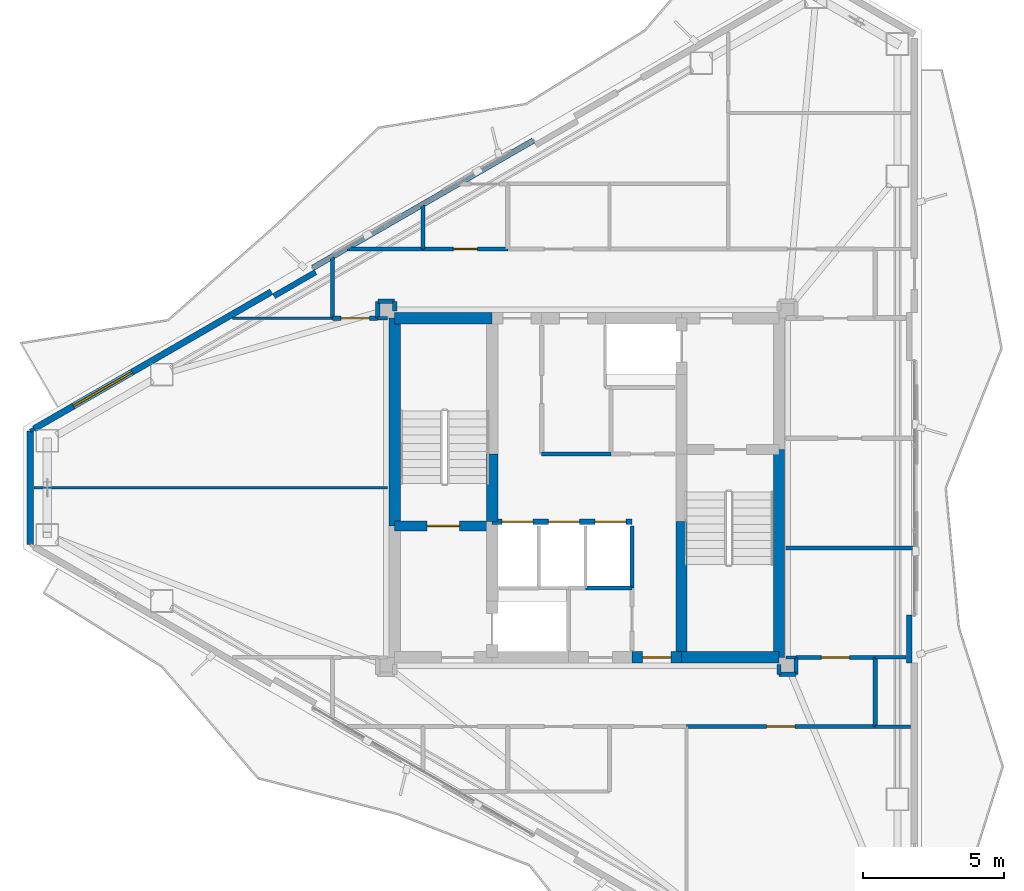
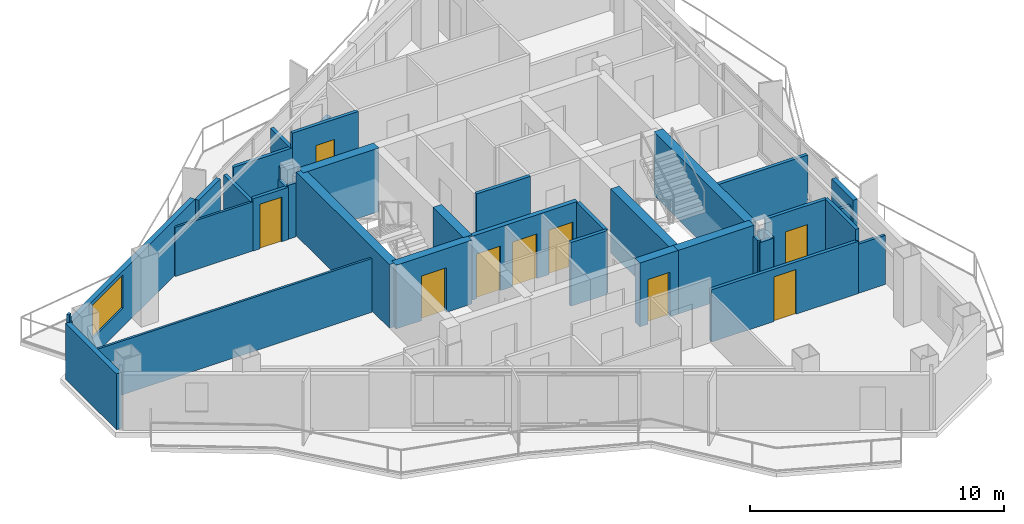
# One storey, part 17 of 21: 39 walls, 9 doors, 1 window, 10 openings.
"""IFC4 building model written with IfcOpenShell, lengths in metres."""

from ifc_helpers import new_model, si_unit, direction, frame, frame_2d, origin, place, context, subcontext, project, spatial, rectangle, extrude, material, layer, layer_set, type_object, element, fill, save


model = new_model("IFC4")

# Units and contexts
model_context = context("Model", 3, precision=1e-05, world=origin(), true_north=direction((0.0, 1.0)))
body_context = subcontext(model_context, "Body", "Model", "MODEL_VIEW")
ifc_project = project(units=[si_unit("LENGTHUNIT", "METRE"), si_unit("AREAUNIT", "SQUARE_METRE"), si_unit("VOLUMEUNIT", "CUBIC_METRE"), si_unit("PLANEANGLEUNIT", "RADIAN"), si_unit("MASSUNIT", "GRAM", prefix="KILO")], contexts=[model_context])

# Site, building, storey
site_placement = place(None, origin())
site = spatial("IfcSite", under=ifc_project, at=site_placement, CompositionType="ELEMENT")
building_placement = place(site_placement, origin())
building = spatial("IfcBuilding", under=site, at=building_placement, Name="Mersakhor Tower and Convention Hall", CompositionType="ELEMENT")
storey_placement = place(building_placement, frame((0.0, 0.0, 211.800048828125)))
storey = spatial("IfcBuildingStorey", under=building, at=storey_placement, Name="L59", CompositionType="ELEMENT", Elevation=211.800048828125)

# Wall
ifc_material_1 = material(Name="Precast concrete C40/50", Category="concrete")
ifc_layer_1 = layer(ifc_material_1, 0.22509765625)
ifc_layer_set_1 = layer_set([ifc_layer_1], Name="Precast concrete C40/50")
wall_type_1 = type_object("IfcWallType", Name="WL-EXT-225", PredefinedType="SOLIDWALL", material=ifc_layer_set_1)
wall_1_placement = place(storey_placement, frame((9.3076171875, 24.73828125, 0.0), z_axis=(0.0, 0.0, 1.0), x_axis=(0.0, 1.0, 0.0)))
element("IfcWall", 1, at=wall_1_placement, inside=storey, type_object=wall_type_1, Name="L59 Chamfer Braced Spandrel Wall C3", PredefinedType="SOLIDWALL", context=body_context, shape_type="SweptSolid", body=[
    extrude(rectangle(XDim=4.0234375, YDim=0.22509765625, at=frame_2d((2.01171875, 0.0))), origin(), (0.0, 0.0, 1.0), 2.68994140625),
])

# Wall, opening, window
wall_2_placement = place(storey_placement, frame((9.4375, 28.836669921875, 0.0), z_axis=(0.0, 0.0, 1.0), x_axis=(0.866027133173, 0.499997004599, 0.0)))
wall_2 = element("IfcWall", 2, at=wall_2_placement, inside=storey, type_object=wall_type_1, Name="L59 Exterior Facade Wall F1-B1", PredefinedType="SOLIDWALL", context=body_context, shape_type="SweptSolid", body=[
    extrude(rectangle(XDim=9.69873046875, YDim=0.22509765625, at=frame_2d((4.849365234375, 0.0))), origin(), (0.0, 0.0, 1.0), 2.68994140625),
])
opening_1_placement = place(wall_2_placement, frame((1.60595703125, 0.0, 0.89990234375)))
opening_1 = element("IfcOpeningElement", 3, at=opening_1_placement, cuts=wall_2, Name="Opening W-05", PredefinedType="OPENING", context=body_context, shape_type="SweptSolid", body=[
    extrude(rectangle(XDim=2.39990234375, YDim=1.60009765625, at=frame_2d((1.199951171875, 0.800048828125))), frame((0.0, 0.12255859375, 0.0), z_axis=(0.0, -1.0, 0.0), x_axis=(1.0, 0.0, 0.0)), (0.0, 0.0, 1.0), 0.2451171875),
])
ifc_material_2 = material(Name="Dark solar low-E glazed aluminium window", Category="aluminium")
window_type = type_object("IfcWindowType", Name="WN-RES-240x160", PartitioningType="SINGLE_PANEL", PredefinedType="WINDOW", material=ifc_material_2)
window_placement = place(opening_1_placement, origin())
window = element("IfcWindow", 4, at=window_placement, inside=storey, type_object=window_type, Name="L59 Facade Punched Window F1-B1", OverallHeight=1.60009765625, OverallWidth=2.39990234375, PartitioningType="SINGLE_PANEL", PredefinedType="WINDOW", context=body_context, shape_type="SweptSolid", body=[
    extrude(rectangle(XDim=2.39990234375, YDim=1.60009765625, at=frame_2d((1.199951171875, 0.800048828125))), frame((0.0, 0.030029296875, 0.0), z_axis=(0.0, -1.0, 0.0), x_axis=(1.0, 0.0, 0.0)), (0.0, 0.0, 1.0), 0.06005859375),
])
fill(opening_1, window)

# Walls
ifc_material_3 = material(Name="Precast concrete C40/50", Category="concrete")
ifc_layer_2 = layer(ifc_material_3, 0.199951171875)
ifc_layer_set_2 = layer_set([ifc_layer_2], Name="Precast concrete C40/50")
wall_type_2 = type_object("IfcWallType", Name="WL-PAR-200", PredefinedType="PARAPET", material=ifc_layer_set_2)
wall_3_placement = place(storey_placement, frame((19.30908203125, 34.5361328125, 0.0), z_axis=(0.0, 0.0, 1.0), x_axis=(0.866020680503, 0.500008180874, 0.0)))
element("IfcWall", 5, at=wall_3_placement, inside=storey, type_object=wall_type_2, Name="L59 Curtain Wall Upstand Sill F1-B2", PredefinedType="PARAPET", context=body_context, shape_type="SweptSolid", body=[
    extrude(rectangle(XDim=8.998779296875, YDim=0.199951171875, at=frame_2d((4.49951171875, 0.0))), origin(), (0.0, 0.0, 1.0), 0.199951171875),
])
for number, where, z_axis, x_axis, name in (
    (6, (17.927001953125, 33.5302734375, 0.0), (0.0, 0.0, 1.0), (0.86605165483, 0.499954529098, 0.0), "L59 Column Pier Cladding Wall F1-C1"),
    (7, (40.408447265625, 22.25048828125, 0.0), (0.0, 0.0, 1.0), (0.0, -1.0, 0.0), "L59 Column Pier Cladding Wall F2-C2"),
):
    element("IfcWall", number, at=place(storey_placement, frame(where, z_axis=z_axis, x_axis=x_axis)), inside=storey, type_object=wall_type_2, Name=name, PredefinedType="PARAPET", context=body_context, shape_type="SweptSolid", body=[
        extrude(rectangle(XDim=1.699951171875, YDim=0.199951171875, at=frame_2d((0.85009765625, 0.0))), origin(), (0.0, 0.0, 1.0), 2.68994140625),
    ])
ifc_material_4 = material(Name="Lightweight gypsum partition", Category="other")
ifc_layer_3 = layer(ifc_material_4, 0.10009765625)
ifc_layer_set_3 = layer_set([ifc_layer_3], Name="Lightweight gypsum partition")
wall_type_3 = type_object("IfcWallType", Name="WL-PRT-100", PredefinedType="PARTITIONING", material=ifc_layer_set_3)
wall_4_placement = place(storey_placement, frame((16.463623046875, 32.75, 0.0), z_axis=(0.0, 0.0, 1.0), x_axis=(1.0, 0.0, 0.0)))
element("IfcWall", 8, at=wall_4_placement, inside=storey, type_object=wall_type_3, Name="L59 Interior Partition Wall P-050", PredefinedType="PARTITIONING", context=body_context, shape_type="SweptSolid", body=[
    extrude(rectangle(XDim=3.536376953125, YDim=0.10009765625, at=frame_2d((1.76806640625, 0.0))), origin(), (0.0, 0.0, 1.0), 2.364990234375),
])
wall_5_placement = place(storey_placement, frame((21.949951171875, 26.75, 0.0), z_axis=(0.0, 0.0, 1.0), x_axis=(-1.0, 0.0, 0.0)))
element("IfcWall", 9, at=wall_5_placement, inside=storey, type_object=wall_type_3, Name="L59 Interior Partition Wall P-052", PredefinedType="PARTITIONING", context=body_context, shape_type="SweptSolid", body=[
    extrude(rectangle(XDim=12.505859375, YDim=0.10009765625, at=frame_2d((6.2529296875, 0.0))), origin(), (0.0, 0.0, 1.0), 2.594970703125),
])
wall_6_placement = place(storey_placement, frame((36.39990234375, 20.75, 0.0), z_axis=(0.0, 0.0, 1.0), x_axis=(-1.0, 0.0, 0.0)))
element("IfcWall", 10, at=wall_6_placement, inside=storey, type_object=wall_type_3, Name="L59 Interior Partition Wall P-058", PredefinedType="PARTITIONING", context=body_context, shape_type="SweptSolid", body=[
    extrude(rectangle(XDim=0.349853515625, YDim=0.10009765625, at=frame_2d((0.1748046875, 0.0))), origin(), (0.0, 0.0, 1.0), 2.594970703125),
])
ifc_material_5 = material(Name="Gypsum board acoustic partition", Category="other")
ifc_layer_4 = layer(ifc_material_5, 0.125)
ifc_layer_set_4 = layer_set([ifc_layer_4], Name="Gypsum board acoustic partition")
wall_type_4 = type_object("IfcWallType", Name="WL-PRT-125", PredefinedType="PARTITIONING", material=ifc_layer_set_4)
wall_7_placement = place(storey_placement, frame((21.60009765625, 32.75, 0.0), z_axis=(0.0, 0.0, 1.0), x_axis=(1.0, 0.0, 0.0)))
element("IfcWall", 11, at=wall_7_placement, inside=storey, type_object=wall_type_4, Name="L59 Interior Partition Wall P-051", PredefinedType="PARTITIONING", context=body_context, shape_type="SweptSolid", body=[
    extrude(rectangle(XDim=0.349853515625, YDim=0.125, at=frame_2d((0.1748046875, 0.0))), origin(), (0.0, 0.0, 1.0), 2.594970703125),
])
wall_8_placement = place(storey_placement, frame((9.306884765625, 28.761962890625, 0.0), z_axis=(0.0, 0.0, 1.0), x_axis=(0.865833797362, 0.500331725305, 0.0)))
element("IfcWall", 12, at=wall_8_placement, inside=storey, type_object=wall_type_4, Name="L59 Interior Partition Wall P-053", PredefinedType="PARTITIONING", context=body_context, shape_type="SweptSolid", body=[
    extrude(rectangle(XDim=0.150390625, YDim=0.125, at=frame_2d((0.0751953125, 0.0))), origin(), (0.0, 0.0, 1.0), 3.070068359375),
])
wall_9_placement = place(storey_placement, frame((40.284423828125, 20.75, 0.0), z_axis=(0.0, 0.0, 1.0), x_axis=(-1.0, 0.0, 0.0)))
element("IfcWall", 13, at=wall_9_placement, inside=storey, type_object=wall_type_4, Name="L59 Interior Partition Wall P-057", PredefinedType="PARTITIONING", context=body_context, shape_type="SweptSolid", body=[
    extrude(rectangle(XDim=1.08447265625, YDim=0.125, at=frame_2d((0.542236328125, 0.0))), origin(), (0.0, 0.0, 1.0), 2.364990234375),
])
wall_10_placement = place(storey_placement, frame((39.199951171875, 18.300048828125, 0.0), z_axis=(0.0, 0.0, 1.0), x_axis=(1.0, 0.0, 0.0)))
element("IfcWall", 14, at=wall_10_placement, inside=storey, type_object=wall_type_4, Name="L59 Interior Partition Wall P-077", PredefinedType="PARTITIONING", context=body_context, shape_type="SweptSolid", body=[
    extrude(rectangle(XDim=1.251953125, YDim=0.125, at=frame_2d((0.6259765625, 0.0))), origin(), (0.0, 0.0, 1.0), 2.364990234375),
])
ifc_material_6 = material(Name="Fire-rated gypsum board stud partition", Category="other")
ifc_layer_5 = layer(ifc_material_6, 0.14990234375)
ifc_layer_set_5 = layer_set([ifc_layer_5], Name="Fire-rated gypsum board stud partition")
wall_type_5 = type_object("IfcWallType", Name="WL-PRT-150", PredefinedType="PARTITIONING", material=ifc_layer_set_5)
wall_11_placement = place(storey_placement, frame((30.60009765625, 25.39990234375, 0.0), z_axis=(0.0, 0.0, 1.0), x_axis=(0.0, -1.0, 0.0)))
element("IfcWall", 15, at=wall_11_placement, inside=storey, type_object=wall_type_5, Name="L59 Interior Partition Wall P-010", PredefinedType="PARTITIONING", context=body_context, shape_type="SweptSolid", body=[
    extrude(rectangle(XDim=2.199951171875, YDim=0.14990234375, at=frame_2d((1.10009765625, 0.0))), origin(), (0.0, 0.0, 1.0), 3.070068359375),
])
wall_12_placement = place(storey_placement, frame((30.60009765625, 23.199951171875, 0.0), z_axis=(0.0, 0.0, 1.0), x_axis=(-1.0, 0.0, 0.0)))
element("IfcWall", 16, at=wall_12_placement, inside=storey, type_object=wall_type_5, Name="L59 Interior Partition Wall P-011", PredefinedType="PARTITIONING", context=body_context, shape_type="SweptSolid", body=[
    extrude(rectangle(XDim=1.650146484375, YDim=0.14990234375, at=frame_2d((0.8251953125, 0.0))), origin(), (0.0, 0.0, 1.0), 3.070068359375),
])
wall_13_placement = place(storey_placement, frame((27.39990234375, 27.949951171875, 0.0), z_axis=(0.0, 0.0, 1.0), x_axis=(1.0, 0.0, 0.0)))
element("IfcWall", 17, at=wall_13_placement, inside=storey, type_object=wall_type_5, Name="L59 Interior Partition Wall P-014", PredefinedType="PARTITIONING", context=body_context, shape_type="SweptSolid", body=[
    extrude(rectangle(XDim=2.4501953125, YDim=0.14990234375, at=frame_2d((1.22509765625, 0.0))), origin(), (0.0, 0.0, 1.0), 3.070068359375),
])
wall_14_placement = place(storey_placement, frame((22.199951171875, 33.0, 0.0), z_axis=(0.0, 0.0, 1.0), x_axis=(0.0, 1.0, 0.0)))
element("IfcWall", 18, at=wall_14_placement, inside=storey, type_object=wall_type_5, Name="L59 Interior Partition Wall P-021", PredefinedType="PARTITIONING", context=body_context, shape_type="SweptSolid", body=[
    extrude(rectangle(XDim=0.35009765625, YDim=0.14990234375, at=frame_2d((0.175048828125, 0.0))), origin(), (0.0, 0.0, 1.0), 2.594970703125),
])
wall_15_placement = place(storey_placement, frame((22.199951171875, 33.35009765625, 0.0), z_axis=(0.0, 0.0, 1.0), x_axis=(-1.0, 0.0, 0.0)))
element("IfcWall", 19, at=wall_15_placement, inside=storey, type_object=wall_type_5, Name="L59 Interior Partition Wall P-022", PredefinedType="PARTITIONING", context=body_context, shape_type="SweptSolid", body=[
    extrude(rectangle(XDim=0.599853515625, YDim=0.14990234375, at=frame_2d((0.2998046875, 0.0))), origin(), (0.0, 0.0, 1.0), 3.070068359375),
])
wall_16_placement = place(storey_placement, frame((21.60009765625, 33.35009765625, 0.0), z_axis=(0.0, 0.0, 1.0), x_axis=(0.0, -1.0, 0.0)))
element("IfcWall", 20, at=wall_16_placement, inside=storey, type_object=wall_type_5, Name="L59 Interior Partition Wall P-023", PredefinedType="PARTITIONING", context=body_context, shape_type="SweptSolid", body=[
    extrude(rectangle(XDim=0.60009765625, YDim=0.14990234375, at=frame_2d((0.300048828125, 0.0))), origin(), (0.0, 0.0, 1.0), 2.518310546875),
])

# Wall, opening, door
wall_17_placement = place(storey_placement, frame((21.60009765625, 32.75, 0.0), z_axis=(0.0, 0.0, 1.0), x_axis=(-1.0, 0.0, 0.0)))
wall_17 = element("IfcWall", 21, at=wall_17_placement, inside=storey, type_object=wall_type_5, Name="L59 Interior Partition Wall P-024", PredefinedType="PARTITIONING", context=body_context, shape_type="SweptSolid", body=[
    extrude(rectangle(XDim=1.60009765625, YDim=0.14990234375, at=frame_2d((0.800048828125, 0.0))), origin(), (0.0, 0.0, 1.0), 2.518310546875),
])
opening_2_placement = place(wall_17_placement, frame((0.300048828125, 0.0, 0.0)))
opening_2 = element("IfcOpeningElement", 22, at=opening_2_placement, cuts=wall_17, Name="Opening FD-01", PredefinedType="OPENING", context=body_context, shape_type="SweptSolid", body=[
    extrude(rectangle(XDim=1.0, YDim=2.14990234375, at=frame_2d((0.5, 1.074951171875))), frame((0.0, 0.0849609375, 0.0), z_axis=(0.0, -1.0, 0.0), x_axis=(1.0, 0.0, 0.0)), (0.0, 0.0, 1.0), 0.169921875),
])
ifc_material_7 = material(Name="Fire-rated hardwood leaf and painted steel frame", Category="steel")
door_type_1 = type_object("IfcDoorType", Name="DR-INT-FLT-100x215", OperationType="NOTDEFINED", PredefinedType="DOOR", material=ifc_material_7)
door_1_placement = place(opening_2_placement, origin())
door_1 = element("IfcDoor", 23, at=door_1_placement, inside=storey, type_object=door_type_1, Name="L59 Residential North Gallery Corridor to L59 West Wing Art and Craft Teaching Room Door", OperationType="SINGLE_SWING_RIGHT", OverallHeight=2.14990234375, OverallWidth=1.0, PredefinedType="DOOR", context=body_context, shape_type="SweptSolid", body=[
    extrude(rectangle(XDim=1.0, YDim=2.14990234375, at=frame_2d((0.5, 1.074951171875))), frame((0.0, 0.02490234375, 0.0), z_axis=(0.0, -1.0, 0.0), x_axis=(1.0, 0.0, 0.0)), (0.0, 0.0, 1.0), 0.050048828125),
])
fill(opening_2, door_1)

# Walls
wall_18_placement = place(storey_placement, frame((20.0, 32.75, 0.0), z_axis=(0.0, 0.0, 1.0), x_axis=(0.0, 1.0, 0.0)))
element("IfcWall", 24, at=wall_18_placement, inside=storey, type_object=wall_type_5, Name="L59 Interior Partition Wall P-025", PredefinedType="PARTITIONING", context=body_context, shape_type="SweptSolid", body=[
    extrude(rectangle(XDim=2.14111328125, YDim=0.14990234375, at=frame_2d((1.070556640625, 0.0))), origin(), (0.0, 0.0, 1.0), 2.364990234375),
])
wall_19_placement = place(storey_placement, frame((20.5283203125, 35.199951171875, 0.0), z_axis=(0.0, 0.0, 1.0), x_axis=(1.0, 0.0, 0.0)))
element("IfcWall", 25, at=wall_19_placement, inside=storey, type_object=wall_type_5, Name="L59 Interior Partition Wall P-026", PredefinedType="PARTITIONING", context=body_context, shape_type="SweptSolid", body=[
    extrude(rectangle(XDim=2.671630859375, YDim=0.14990234375, at=frame_2d((1.3359375, 0.0))), origin(), (0.0, 0.0, 1.0), 2.364990234375),
])

# Wall, opening, door
wall_20_placement = place(storey_placement, frame((23.199951171875, 35.199951171875, 0.0), z_axis=(0.0, 0.0, 1.0), x_axis=(1.0, 0.0, 0.0)))
wall_20 = element("IfcWall", 26, at=wall_20_placement, inside=storey, type_object=wall_type_5, Name="L59 Interior Partition Wall P-027", PredefinedType="PARTITIONING", context=body_context, shape_type="SweptSolid", body=[
    extrude(rectangle(XDim=3.0, YDim=0.14990234375, at=frame_2d((1.5, 0.0))), origin(), (0.0, 0.0, 1.0), 3.070068359375),
])
opening_3_placement = place(wall_20_placement, frame((1.074951171875, 0.0, 0.0)))
opening_3 = element("IfcOpeningElement", 27, at=opening_3_placement, cuts=wall_20, Name="Opening SVD-01", PredefinedType="OPENING", context=body_context, shape_type="SweptSolid", body=[
    extrude(rectangle(XDim=0.85009765625, YDim=2.10009765625, at=frame_2d((0.425048828125, 1.050048828125))), frame((0.0, 0.0849609375, 0.0), z_axis=(0.0, -1.0, 0.0), x_axis=(1.0, 0.0, 0.0)), (0.0, 0.0, 1.0), 0.169921875),
])
ifc_material_8 = material(Name="Fire-rated hardwood leaf and painted steel frame", Category="steel")
door_type_2 = type_object("IfcDoorType", Name="DR-INT-SVC-085x210", OperationType="NOTDEFINED", PredefinedType="DOOR", material=ifc_material_8)
door_2_placement = place(opening_3_placement, origin())
door_2 = element("IfcDoor", 28, at=door_2_placement, inside=storey, type_object=door_type_2, Name="L59 Residential North Gallery Corridor to L59 Floor Household Store Room 1-1 Door", OperationType="SINGLE_SWING_LEFT", OverallHeight=2.10009765625, OverallWidth=0.85009765625, PredefinedType="DOOR", context=body_context, shape_type="SweptSolid", body=[
    extrude(rectangle(XDim=0.85009765625, YDim=2.10009765625, at=frame_2d((0.425048828125, 1.050048828125))), frame((0.0, 0.02490234375, 0.0), z_axis=(0.0, -1.0, 0.0), x_axis=(1.0, 0.0, 0.0)), (0.0, 0.0, 1.0), 0.050048828125),
])
fill(opening_3, door_2)

# Walls
wall_21_placement = place(storey_placement, frame((35.800048828125, 20.5, 0.0), z_axis=(0.0, 0.0, 1.0), x_axis=(0.0, -1.0, 0.0)))
element("IfcWall", 29, at=wall_21_placement, inside=storey, type_object=wall_type_5, Name="L59 Interior Partition Wall P-035", PredefinedType="PARTITIONING", context=body_context, shape_type="SweptSolid", body=[
    extrude(rectangle(XDim=0.35009765625, YDim=0.14990234375, at=frame_2d((0.175048828125, 0.0))), origin(), (0.0, 0.0, 1.0), 2.594970703125),
])
wall_22_placement = place(storey_placement, frame((35.800048828125, 20.14990234375, 0.0), z_axis=(0.0, 0.0, 1.0), x_axis=(1.0, 0.0, 0.0)))
element("IfcWall", 30, at=wall_22_placement, inside=storey, type_object=wall_type_5, Name="L59 Interior Partition Wall P-036", PredefinedType="PARTITIONING", context=body_context, shape_type="SweptSolid", body=[
    extrude(rectangle(XDim=0.599853515625, YDim=0.14990234375, at=frame_2d((0.2998046875, 0.0))), origin(), (0.0, 0.0, 1.0), 2.518310546875),
])
wall_23_placement = place(storey_placement, frame((36.39990234375, 20.14990234375, 0.0), z_axis=(0.0, 0.0, 1.0), x_axis=(0.0, 1.0, 0.0)))
element("IfcWall", 31, at=wall_23_placement, inside=storey, type_object=wall_type_5, Name="L59 Interior Partition Wall P-037", PredefinedType="PARTITIONING", context=body_context, shape_type="SweptSolid", body=[
    extrude(rectangle(XDim=0.60009765625, YDim=0.14990234375, at=frame_2d((0.300048828125, 0.0))), origin(), (0.0, 0.0, 1.0), 2.518310546875),
])

# Wall, opening, door
wall_24_placement = place(storey_placement, frame((36.39990234375, 20.75, 0.0), z_axis=(0.0, 0.0, 1.0), x_axis=(1.0, 0.0, 0.0)))
wall_24 = element("IfcWall", 32, at=wall_24_placement, inside=storey, type_object=wall_type_5, Name="L59 Interior Partition Wall P-038", PredefinedType="PARTITIONING", context=body_context, shape_type="SweptSolid", body=[
    extrude(rectangle(XDim=2.800048828125, YDim=0.14990234375, at=frame_2d((1.39990234375, 0.0))), origin(), (0.0, 0.0, 1.0), 3.070068359375),
])
opening_4_placement = place(wall_24_placement, frame((0.89990234375, 0.0, 0.0)))
opening_4 = element("IfcOpeningElement", 33, at=opening_4_placement, cuts=wall_24, Name="Opening FD-01", PredefinedType="OPENING", context=body_context, shape_type="SweptSolid", body=[
    extrude(rectangle(XDim=1.0, YDim=2.14990234375, at=frame_2d((0.5, 1.074951171875))), frame((0.0, 0.0849609375, 0.0), z_axis=(0.0, -1.0, 0.0), x_axis=(1.0, 0.0, 0.0)), (0.0, 0.0, 1.0), 0.169921875),
])
door_3_placement = place(opening_4_placement, origin())
door_3 = element("IfcDoor", 34, at=door_3_placement, inside=storey, type_object=door_type_1, Name="L59 Residential South Gallery Corridor to L59 East Wing Shared Laundry Room Door", OperationType="SINGLE_SWING_RIGHT", OverallHeight=2.14990234375, OverallWidth=1.0, PredefinedType="DOOR", context=body_context, shape_type="SweptSolid", body=[
    extrude(rectangle(XDim=1.0, YDim=2.14990234375, at=frame_2d((0.5, 1.074951171875))), frame((0.0, 0.02490234375, 0.0), z_axis=(0.0, -1.0, 0.0), x_axis=(1.0, 0.0, 0.0)), (0.0, 0.0, 1.0), 0.050048828125),
])
fill(opening_4, door_3)

# Wall
wall_25_placement = place(storey_placement, frame((39.199951171875, 20.75, 0.0), z_axis=(0.0, 0.0, 1.0), x_axis=(0.0, -1.0, 0.0)))
element("IfcWall", 35, at=wall_25_placement, inside=storey, type_object=wall_type_5, Name="L59 Interior Partition Wall P-039", PredefinedType="PARTITIONING", context=body_context, shape_type="SweptSolid", body=[
    extrude(rectangle(XDim=2.449951171875, YDim=0.14990234375, at=frame_2d((1.22509765625, 0.0))), origin(), (0.0, 0.0, 1.0), 3.070068359375),
])

# Wall, opening, door
wall_26_placement = place(storey_placement, frame((39.199951171875, 18.300048828125, 0.0), z_axis=(0.0, 0.0, 1.0), x_axis=(-1.0, 0.0, 0.0)))
wall_26 = element("IfcWall", 36, at=wall_26_placement, inside=storey, type_object=wall_type_5, Name="L59 Interior Partition Wall P-040", PredefinedType="PARTITIONING", context=body_context, shape_type="SweptSolid", body=[
    extrude(rectangle(XDim=6.679931640625, YDim=0.14990234375, at=frame_2d((3.33984375, 0.0))), origin(), (0.0, 0.0, 1.0), 2.518310546875),
])
opening_5_placement = place(wall_26_placement, frame((2.840087890625, 0.0, 0.0)))
opening_5 = element("IfcOpeningElement", 37, at=opening_5_placement, cuts=wall_26, Name="Opening FD-01", PredefinedType="OPENING", context=body_context, shape_type="SweptSolid", body=[
    extrude(rectangle(XDim=1.0, YDim=2.14990234375, at=frame_2d((0.5, 1.074951171875))), frame((0.0, 0.0849609375, 0.0), z_axis=(0.0, -1.0, 0.0), x_axis=(1.0, 0.0, 0.0)), (0.0, 0.0, 1.0), 0.169921875),
])
door_4_placement = place(opening_5_placement, origin())
door_4 = element("IfcDoor", 38, at=door_4_placement, inside=storey, type_object=door_type_1, Name="L59 Residential South Gallery Corridor to L59 Floor Residents Study Room 2-4 Door", OperationType="SINGLE_SWING_RIGHT", OverallHeight=2.14990234375, OverallWidth=1.0, PredefinedType="DOOR", context=body_context, shape_type="SweptSolid", body=[
    extrude(rectangle(XDim=1.0, YDim=2.14990234375, at=frame_2d((0.5, 1.074951171875))), frame((0.0, 0.02490234375, 0.0), z_axis=(0.0, -1.0, 0.0), x_axis=(1.0, 0.0, 0.0)), (0.0, 0.0, 1.0), 0.050048828125),
])
fill(opening_5, door_4)

# Walls
wall_27_placement = place(storey_placement, frame((36.050048828125, 24.6201171875, 0.0), z_axis=(0.0, 0.0, 1.0), x_axis=(1.0, 0.0, 0.0)))
element("IfcWall", 39, at=wall_27_placement, inside=storey, type_object=wall_type_5, Name="L59 Interior Partition Wall P-059", PredefinedType="PARTITIONING", context=body_context, shape_type="SweptSolid", body=[
    extrude(rectangle(XDim=4.500244140625, YDim=0.14990234375, at=frame_2d((2.25, 0.0))), origin(), (0.0, 0.0, 1.0), 2.364990234375),
])
wall_28_placement = place(storey_placement, frame((23.199951171875, 35.199951171875, 0.0), z_axis=(0.0, 0.0, 1.0), x_axis=(0.0, 1.0, 0.0)))
element("IfcWall", 40, at=wall_28_placement, inside=storey, type_object=wall_type_5, Name="L59 Interior Partition Wall P-062", PredefinedType="PARTITIONING", context=body_context, shape_type="SweptSolid", body=[
    extrude(rectangle(XDim=1.53857421875, YDim=0.14990234375, at=frame_2d((0.769287109375, 0.0))), origin(), (0.0, 0.0, 1.0), 2.364990234375),
])

# Wall, openings, doors
ifc_material_9 = material(Name="Acoustic concrete blockwork and gypsum board", Category="masonry")
ifc_layer_6 = layer(ifc_material_9, 0.199951171875)
ifc_layer_set_6 = layer_set([ifc_layer_6], Name="Acoustic concrete blockwork and gypsum board")
wall_type_6 = type_object("IfcWallType", Name="WL-PRT-200", PredefinedType="PARTITIONING", material=ifc_layer_set_6)
wall_29_placement = place(storey_placement, frame((25.64990234375, 25.550048828125, 0.0), z_axis=(0.0, 0.0, 1.0), x_axis=(1.0, 0.0, 0.0)))
wall_29 = element("IfcWall", 41, at=wall_29_placement, inside=storey, type_object=wall_type_6, Name="L59 High-Rise Lift Bank Front Wall", PredefinedType="PARTITIONING", context=body_context, shape_type="SweptSolid", body=[
    extrude(rectangle(XDim=4.9501953125, YDim=0.199951171875, at=frame_2d((2.47509765625, 0.0))), origin(), (0.0, 0.0, 1.0), 3.070068359375),
])
opening_6_placement = place(wall_29_placement, frame((0.340087890625, 0.0, 0.0)))
opening_6 = element("IfcOpeningElement", 42, at=opening_6_placement, cuts=wall_29, Name="Opening LD-P4", PredefinedType="OPENING", context=body_context, shape_type="SweptSolid", body=[
    extrude(rectangle(XDim=1.10009765625, YDim=2.14990234375, at=frame_2d((0.550048828125, 1.074951171875))), frame((0.0, 0.10986328125, 0.0), z_axis=(0.0, -1.0, 0.0), x_axis=(1.0, 0.0, 0.0)), (0.0, 0.0, 1.0), 0.219970703125),
])
opening_7_placement = place(wall_29_placement, frame((1.989990234375, 0.0, 0.0)))
opening_7 = element("IfcOpeningElement", 43, at=opening_7_placement, cuts=wall_29, Name="Opening LD-P5", PredefinedType="OPENING", context=body_context, shape_type="SweptSolid", body=[
    extrude(rectangle(XDim=1.10009765625, YDim=2.14990234375, at=frame_2d((0.550048828125, 1.074951171875))), frame((0.0, 0.10986328125, 0.0), z_axis=(0.0, -1.0, 0.0), x_axis=(1.0, 0.0, 0.0)), (0.0, 0.0, 1.0), 0.219970703125),
])
opening_8_placement = place(wall_29_placement, frame((3.639892578125, 0.0, 0.0)))
opening_8 = element("IfcOpeningElement", 44, at=opening_8_placement, cuts=wall_29, Name="Opening LD-P6", PredefinedType="OPENING", context=body_context, shape_type="SweptSolid", body=[
    extrude(rectangle(XDim=1.10009765625, YDim=2.14990234375, at=frame_2d((0.550048828125, 1.074951171875))), frame((0.0, 0.10986328125, 0.0), z_axis=(0.0, -1.0, 0.0), x_axis=(1.0, 0.0, 0.0)), (0.0, 0.0, 1.0), 0.219970703125),
])
ifc_material_10 = material(Name="Fire-rated brushed stainless steel sliding landing door", Category="steel")
door_type_3 = type_object("IfcDoorType", Name="DR-LIFT-SLD-110x215", OperationType="NOTDEFINED", PredefinedType="DOOR", material=ifc_material_10)
door_5_placement = place(opening_6_placement, origin())
door_5 = element("IfcDoor", 45, at=door_5_placement, inside=storey, type_object=door_type_3, Name="L59 Lift Landing Door LD-P4", OperationType="SLIDING_TO_LEFT", OverallHeight=2.14990234375, OverallWidth=1.10009765625, PredefinedType="DOOR", context=body_context, shape_type="SweptSolid", body=[
    extrude(rectangle(XDim=1.10009765625, YDim=2.14990234375, at=frame_2d((0.550048828125, 1.074951171875))), frame((0.0, 0.02490234375, 0.0), z_axis=(0.0, -1.0, 0.0), x_axis=(1.0, 0.0, 0.0)), (0.0, 0.0, 1.0), 0.050048828125),
])
fill(opening_6, door_5)
door_6_placement = place(opening_7_placement, origin())
door_6 = element("IfcDoor", 46, at=door_6_placement, inside=storey, type_object=door_type_3, Name="L59 Lift Landing Door LD-P5", OperationType="SLIDING_TO_LEFT", OverallHeight=2.14990234375, OverallWidth=1.10009765625, PredefinedType="DOOR", context=body_context, shape_type="SweptSolid", body=[
    extrude(rectangle(XDim=1.10009765625, YDim=2.14990234375, at=frame_2d((0.550048828125, 1.074951171875))), frame((0.0, 0.02490234375, 0.0), z_axis=(0.0, -1.0, 0.0), x_axis=(1.0, 0.0, 0.0)), (0.0, 0.0, 1.0), 0.050048828125),
])
fill(opening_7, door_6)
door_7_placement = place(opening_8_placement, origin())
door_7 = element("IfcDoor", 47, at=door_7_placement, inside=storey, type_object=door_type_3, Name="L59 Lift Landing Door LD-P6", OperationType="SLIDING_TO_LEFT", OverallHeight=2.14990234375, OverallWidth=1.10009765625, PredefinedType="DOOR", context=body_context, shape_type="SweptSolid", body=[
    extrude(rectangle(XDim=1.10009765625, YDim=2.14990234375, at=frame_2d((0.550048828125, 1.074951171875))), frame((0.0, 0.02490234375, 0.0), z_axis=(0.0, -1.0, 0.0), x_axis=(1.0, 0.0, 0.0)), (0.0, 0.0, 1.0), 0.050048828125),
])
fill(opening_8, door_7)

# Wall, opening, door
ifc_material_11 = material(Name="Concrete C50/60", Category="concrete")
ifc_layer_7 = layer(ifc_material_11, 0.35009765625)
ifc_layer_set_7 = layer_set([ifc_layer_7], Name="Concrete C50/60")
wall_type_7 = type_object("IfcWallType", Name="WL-SHR-350", PredefinedType="SHEAR", material=ifc_layer_set_7)
wall_30_placement = place(storey_placement, frame((22.199951171875, 25.39990234375, 0.0), z_axis=(0.0, 0.0, 1.0), x_axis=(1.0, 0.0, 0.0)))
wall_30 = element("IfcWall", 48, at=wall_30_placement, inside=storey, type_object=wall_type_7, Name="L59 Core Wall CS-ST1-S", PredefinedType="SHEAR", context=body_context, shape_type="SweptSolid", body=[
    extrude(rectangle(XDim=3.449951171875, YDim=0.35009765625, at=frame_2d((1.72509765625, 0.0))), origin(), (0.0, 0.0, 1.0), 3.070068359375),
])
opening_9_placement = place(wall_30_placement, frame((1.14990234375, 0.0, 0.0)))
opening_9 = element("IfcOpeningElement", 49, at=opening_9_placement, cuts=wall_30, Name="Opening SD-01", PredefinedType="OPENING", context=body_context, shape_type="SweptSolid", body=[
    extrude(rectangle(XDim=1.14990234375, YDim=2.14990234375, at=frame_2d((0.574951171875, 1.074951171875))), frame((0.0, 0.18505859375, 0.0), z_axis=(0.0, -1.0, 0.0), x_axis=(1.0, 0.0, 0.0)), (0.0, 0.0, 1.0), 0.3701171875),
])
ifc_material_12 = material(Name="Fire-rated hardwood leaf and painted steel frame", Category="steel")
door_type_4 = type_object("IfcDoorType", Name="DR-INT-STAIR-115x215", OperationType="NOTDEFINED", PredefinedType="DOOR", material=ifc_material_12)
door_8_placement = place(opening_9_placement, origin())
door_8 = element("IfcDoor", 50, at=door_8_placement, inside=storey, type_object=door_type_4, Name="L59 Exit Stair ST-1 Enclosure Door", OperationType="SINGLE_SWING_LEFT", OverallHeight=2.14990234375, OverallWidth=1.14990234375, PredefinedType="DOOR", context=body_context, shape_type="SweptSolid", body=[
    extrude(rectangle(XDim=1.14990234375, YDim=2.14990234375, at=frame_2d((0.574951171875, 1.074951171875))), frame((0.0, 0.02490234375, 0.0), z_axis=(0.0, -1.0, 0.0), x_axis=(1.0, 0.0, 0.0)), (0.0, 0.0, 1.0), 0.050048828125),
])
fill(opening_9, door_8)

# Walls
ifc_material_13 = material(Name="Concrete C60/75", Category="concrete")
ifc_layer_8 = layer(ifc_material_13, 0.39990234375)
ifc_layer_set_8 = layer_set([ifc_layer_8], Name="Concrete C60/75")
wall_type_8 = type_object("IfcWallType", Name="WL-SHR-400", PredefinedType="SHEAR", material=ifc_layer_set_8)
wall_31_placement = place(storey_placement, frame((22.199951171875, 25.39990234375, 0.0), z_axis=(0.0, 0.0, 1.0), x_axis=(0.0, 1.0, 0.0)))
element("IfcWall", 51, at=wall_31_placement, inside=storey, type_object=wall_type_8, Name="L59 Core Wall CW-W2", PredefinedType="SHEAR", context=body_context, shape_type="SweptSolid", body=[
    extrude(rectangle(XDim=7.35009765625, YDim=0.39990234375, at=frame_2d((3.675048828125, 0.0))), origin(), (0.0, 0.0, 1.0), 3.070068359375),
])
wall_32_placement = place(storey_placement, frame((22.199951171875, 32.75, 0.0), z_axis=(0.0, 0.0, 1.0), x_axis=(1.0, 0.0, 0.0)))
element("IfcWall", 52, at=wall_32_placement, inside=storey, type_object=wall_type_8, Name="L59 Core Wall CW-N1", PredefinedType="SHEAR", context=body_context, shape_type="SweptSolid", body=[
    extrude(rectangle(XDim=3.449951171875, YDim=0.39990234375, at=frame_2d((1.72509765625, 0.0))), origin(), (0.0, 0.0, 1.0), 3.070068359375),
])
wall_33_placement = place(storey_placement, frame((35.800048828125, 28.10009765625, 0.0), z_axis=(0.0, 0.0, 1.0), x_axis=(0.0, -1.0, 0.0)))
element("IfcWall", 53, at=wall_33_placement, inside=storey, type_object=wall_type_8, Name="L59 Core Wall CW-E2", PredefinedType="SHEAR", context=body_context, shape_type="SweptSolid", body=[
    extrude(rectangle(XDim=7.35009765625, YDim=0.39990234375, at=frame_2d((3.675048828125, 0.0))), origin(), (0.0, 0.0, 1.0), 3.070068359375),
])
wall_34_placement = place(storey_placement, frame((35.800048828125, 20.75, 0.0), z_axis=(0.0, 0.0, 1.0), x_axis=(-1.0, 0.0, 0.0)))
element("IfcWall", 54, at=wall_34_placement, inside=storey, type_object=wall_type_8, Name="L59 Core Wall CW-S1", PredefinedType="SHEAR", context=body_context, shape_type="SweptSolid", body=[
    extrude(rectangle(XDim=3.449951171875, YDim=0.39990234375, at=frame_2d((1.72509765625, 0.0))), origin(), (0.0, 0.0, 1.0), 3.070068359375),
])

# Wall, opening, door
wall_35_placement = place(storey_placement, frame((32.35009765625, 20.75, 0.0), z_axis=(0.0, 0.0, 1.0), x_axis=(-1.0, 0.0, 0.0)))
wall_35 = element("IfcWall", 55, at=wall_35_placement, inside=storey, type_object=wall_type_8, Name="L59 Core Wall CW-S2A", PredefinedType="SHEAR", context=body_context, shape_type="SweptSolid", body=[
    extrude(rectangle(XDim=1.75, YDim=0.39990234375, at=frame_2d((0.875, 0.0))), origin(), (0.0, 0.0, 1.0), 3.070068359375),
])
opening_10_placement = place(wall_35_placement, frame((0.375, 0.0, 0.0)))
opening_10 = element("IfcOpeningElement", 56, at=opening_10_placement, cuts=wall_35, Name="Opening CFD-01", PredefinedType="OPENING", context=body_context, shape_type="SweptSolid", body=[
    extrude(rectangle(XDim=1.0, YDim=2.14990234375, at=frame_2d((0.5, 1.074951171875))), frame((0.0, 0.2099609375, 0.0), z_axis=(0.0, -1.0, 0.0), x_axis=(1.0, 0.0, 0.0)), (0.0, 0.0, 1.0), 0.419921875),
])
ifc_material_14 = material(Name="Fire-rated hardwood leaf and painted steel frame", Category="steel")
door_type_5 = type_object("IfcDoorType", Name="DR-CORE-FD-100x215", OperationType="NOTDEFINED", PredefinedType="DOOR", material=ifc_material_14)
door_9_placement = place(opening_10_placement, origin())
door_9 = element("IfcDoor", 57, at=door_9_placement, inside=storey, type_object=door_type_5, Name="L59 Lift Lobby South Corridor Door", OperationType="SINGLE_SWING_RIGHT", OverallHeight=2.14990234375, OverallWidth=1.0, PredefinedType="DOOR", context=body_context, shape_type="SweptSolid", body=[
    extrude(rectangle(XDim=1.0, YDim=2.14990234375, at=frame_2d((0.5, 1.074951171875))), frame((0.0, 0.02490234375, 0.0), z_axis=(0.0, -1.0, 0.0), x_axis=(1.0, 0.0, 0.0)), (0.0, 0.0, 1.0), 0.050048828125),
])
fill(opening_10, door_9)

# Walls
wall_36_placement = place(storey_placement, frame((25.64990234375, 25.550048828125, 0.0), z_axis=(0.0, 0.0, 1.0), x_axis=(0.0, 1.0, 0.0)))
element("IfcWall", 58, at=wall_36_placement, inside=storey, type_object=wall_type_8, Name="L59 Core Wall CS-W-LOB", PredefinedType="SHEAR", context=body_context, shape_type="SweptSolid", body=[
    extrude(rectangle(XDim=2.39990234375, YDim=0.39990234375, at=frame_2d((1.199951171875, 0.0))), origin(), (0.0, 0.0, 1.0), 3.070068359375),
])
wall_37_placement = place(storey_placement, frame((32.35009765625, 20.75, 0.0), z_axis=(0.0, 0.0, 1.0), x_axis=(0.0, 1.0, 0.0)))
element("IfcWall", 59, at=wall_37_placement, inside=storey, type_object=wall_type_8, Name="L59 Core Wall CS-E-ST2", PredefinedType="SHEAR", context=body_context, shape_type="SweptSolid", body=[
    extrude(rectangle(XDim=4.800048828125, YDim=0.39990234375, at=frame_2d((2.39990234375, 0.0))), origin(), (0.0, 0.0, 1.0), 3.070068359375),
])

save(model, "model.ifc")
